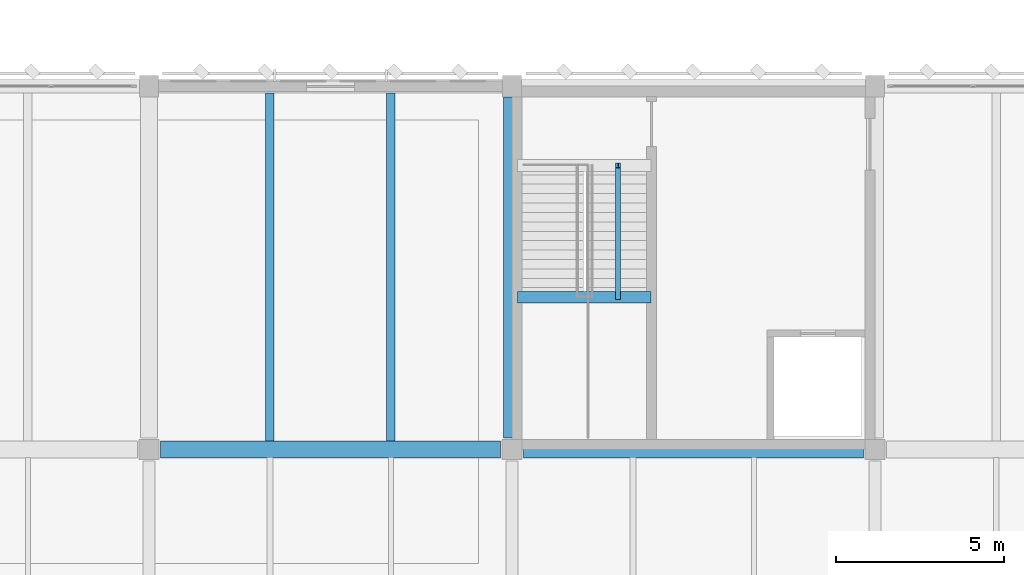
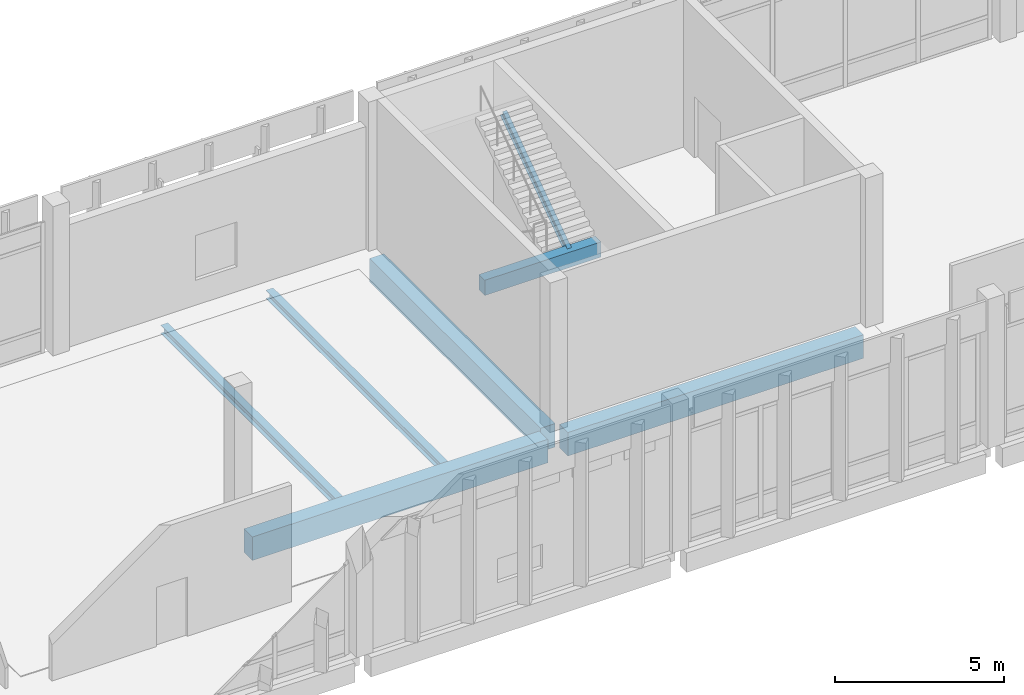
# One storey, part 75 of 180: 7 beams.
"""IFC4 building model written with IfcOpenShell, lengths in metres."""

from ifc_helpers import new_model, si_unit, direction, frame, origin, origin_2d, place, context, subcontext, project, spatial, rectangle, i_section, extrude, material, material_profile, profile_set, type_object, element, save


model = new_model("IFC4")

# Units and contexts
model_context = context("Model", 3, precision=1e-05, world=origin(), true_north=direction((0.0, 1.0)))
body_context = subcontext(model_context, "Body", "Model", "MODEL_VIEW")
ifc_project = project(units=[si_unit("LENGTHUNIT", "METRE"), si_unit("AREAUNIT", "SQUARE_METRE"), si_unit("VOLUMEUNIT", "CUBIC_METRE"), si_unit("PLANEANGLEUNIT", "RADIAN"), si_unit("MASSUNIT", "GRAM", prefix="KILO")], contexts=[model_context])

# Site, building, storey
site_placement = place(None, origin())
site = spatial("IfcSite", under=ifc_project, at=site_placement, CompositionType="ELEMENT")
building_placement = place(site_placement, origin())
building = spatial("IfcBuilding", under=site, at=building_placement, Name="Lusvemor Sports Hall", CompositionType="ELEMENT")
storey_placement = place(building_placement, frame((0.0, 0.0, 5.39990234375)))
storey = spatial("IfcBuildingStorey", under=building, at=storey_placement, Name="L01", CompositionType="ELEMENT", Elevation=5.39990234375)

# Beams
ifc_material_1 = material(Name="Concrete C40/50", Category="concrete")
ifc_material_profile_1 = material_profile(ifc_material_1, rectangle(XDim=0.35009765625, YDim=0.550048828125, at=origin_2d()), Name="RC350x550")
ifc_profile_set_1 = profile_set([ifc_material_profile_1], Name="Concrete C40/50")
beam_type_1 = type_object("IfcBeamType", Name="BEAM_RC_550", PredefinedType="BEAM", material=ifc_profile_set_1)
beam_1_placement = place(storey_placement, frame((54.159912109375, 108.929931640625, 2.2451171875), z_axis=(1.0, 0.0, 0.0), x_axis=(0.0, 1.0, 0.0)))
element("IfcBeam", 1, at=beam_1_placement, inside=storey, type_object=beam_type_1, Name="Stair STR-C2-L01 Mid-Landing Beam", PredefinedType="BEAM", context=body_context, shape_type="SweptSolid", body=[
    extrude(rectangle(XDim=0.35009765625, YDim=0.550048828125, at=origin_2d()), origin(), (0.0, 0.0, 1.0), 3.97998046875),
])
ifc_material_2 = material(Name="Concrete C40/50", Category="concrete")
ifc_material_profile_2 = material_profile(ifc_material_2, rectangle(XDim=0.5, YDim=0.85009765625, at=origin_2d()), Name="RC500x850")
ifc_profile_set_2 = profile_set([ifc_material_profile_2], Name="Concrete C40/50")
beam_type_2 = type_object("IfcBeamType", Name="GIRD_RC_850", PredefinedType="T_BEAM", material=ifc_profile_set_2)
for number, where, z_axis, x_axis, name in (
    (2, (43.5458984375, 104.39990234375, -0.684814453125), (1.0, 0.0, 0.0), (0.0, 1.0, 0.0), "Beam L01 P:5-6"),
    (3, (54.345947265625, 104.39990234375, -0.684814453125), (1.0, 0.0, 0.0), (0.0, 1.0, 0.0), "Beam L01 P:6-7"),
):
    element("IfcBeam", number, at=place(storey_placement, frame(where, z_axis=z_axis, x_axis=x_axis)), inside=storey, type_object=beam_type_2, Name=name, PredefinedType="T_BEAM", context=body_context, shape_type="SweptSolid", body=[
        extrude(rectangle(XDim=0.5, YDim=0.85009765625, at=origin_2d()), origin(), (0.0, 0.0, 1.0), 10.108154296875),
    ])
beam_2_placement = place(storey_placement, frame((54.0, 104.74609375, -0.684814453125), z_axis=(0.0, 1.0, 0.0), x_axis=(-1.0, 0.0, 0.0)))
element("IfcBeam", 4, at=beam_2_placement, inside=storey, type_object=beam_type_2, Name="Beam L01 6:P-Q", PredefinedType="T_BEAM", context=body_context, shape_type="SweptSolid", body=[
    extrude(rectangle(XDim=0.5, YDim=0.85009765625, at=origin_2d()), origin(), (0.0, 0.0, 1.0), 10.137939453125),
])
ifc_material_3 = material(Name="Steel S355", Category="steel")
ifc_material_profile_3 = material_profile(ifc_material_3, i_section(OverallWidth=0.14794921875, OverallDepth=0.26611328125, WebThickness=0.007568359375, FlangeThickness=0.012939453125, FilletRadius=0.012939453125, at=origin_2d()), Name="W250x44.8")
ifc_profile_set_3 = profile_set([ifc_material_profile_3], Name="Steel S355")
beam_type_3 = type_object("IfcBeamType", Name="JOIST_ST_250M", PredefinedType="JOIST", material=ifc_profile_set_3)
beam_3_placement = place(storey_placement, frame((57.159912109375, 108.929931640625, 2.35498046875), z_axis=(0.0, 0.82354327477, 0.567253448276), x_axis=(-1.0, 0.0, 0.0)))
element("IfcBeam", 5, at=beam_3_placement, inside=storey, type_object=beam_type_3, Name="Stair STR-C2-L01 Flight 2 Stringer Beam", PredefinedType="JOIST", context=body_context, shape_type="SweptSolid", body=[
    extrude(i_section(OverallWidth=0.14794921875, OverallDepth=0.26611328125, WebThickness=0.007568359375, FlangeThickness=0.012939453125, FilletRadius=0.012939453125, at=origin_2d()), origin(), (0.0, 0.0, 1.0), 4.760009765625),
])
ifc_material_4 = material(Name="Steel S355", Category="steel")
ifc_material_profile_4 = material_profile(ifc_material_4, i_section(OverallWidth=0.25390625, OverallDepth=0.305908203125, WebThickness=0.0087890625, FlangeThickness=0.0146484375, FilletRadius=0.014892578125, at=origin_2d()), Name="W310x79.0")
ifc_profile_set_4 = profile_set([ifc_material_profile_4], Name="Steel S355")
beam_type_4 = type_object("IfcBeamType", Name="JOIST_ST_310H", PredefinedType="JOIST", material=ifc_profile_set_4)
for number, where, z_axis, x_axis, name in (
    (6, (46.800048828125, 104.64599609375, -0.4169921875), (0.0, 1.0, 0.0), (-1.0, 0.0, 0.0), "Secondary Joist L01 5-6/P-Q #1"),
    (7, (50.39990234375, 104.64599609375, -0.4169921875), (0.0, 1.0, 0.0), (-1.0, 0.0, 0.0), "Secondary Joist L01 5-6/P-Q #2"),
):
    element("IfcBeam", number, at=place(storey_placement, frame(where, z_axis=z_axis, x_axis=x_axis)), inside=storey, type_object=beam_type_4, Name=name, PredefinedType="JOIST", context=body_context, shape_type="SweptSolid", body=[
        extrude(i_section(OverallWidth=0.25390625, OverallDepth=0.305908203125, WebThickness=0.0087890625, FlangeThickness=0.0146484375, FilletRadius=0.014892578125, at=origin_2d()), origin(), (0.0, 0.0, 1.0), 10.35791015625),
    ])

save(model, "model.ifc")
